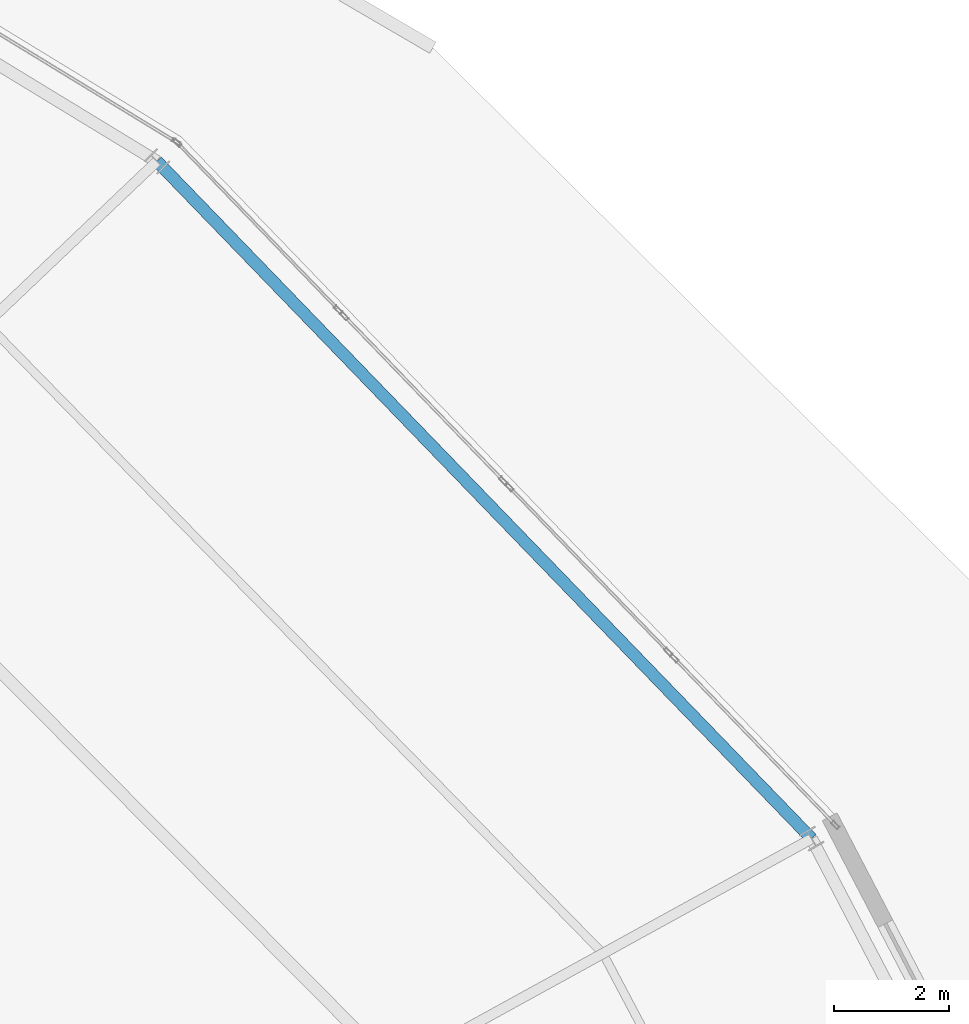
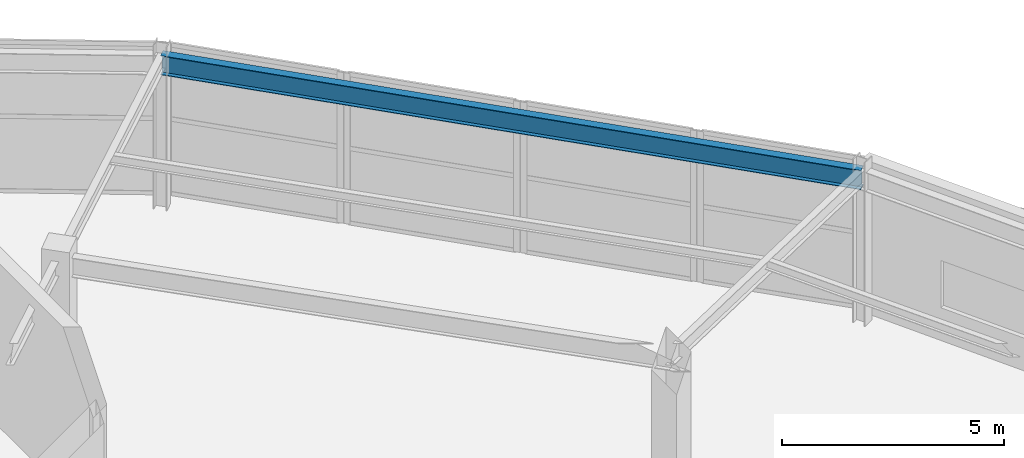
# One storey, part 87 of 126: 1 beam.
"""IFC4 building model written with IfcOpenShell, lengths in metres."""

from ifc_helpers import new_model, si_unit, direction, frame, origin, origin_2d, place, context, subcontext, project, spatial, i_section, extrude, material, material_profile, profile_set, type_object, element, save


model = new_model("IFC4")

# Units and contexts
model_context = context("Model", 3, precision=1e-05, world=origin(), true_north=direction((0.0, 1.0)))
body_context = subcontext(model_context, "Body", "Model", "MODEL_VIEW")
ifc_project = project(units=[si_unit("LENGTHUNIT", "METRE"), si_unit("AREAUNIT", "SQUARE_METRE"), si_unit("VOLUMEUNIT", "CUBIC_METRE"), si_unit("PLANEANGLEUNIT", "RADIAN"), si_unit("MASSUNIT", "GRAM", prefix="KILO")], contexts=[model_context])

# Site, building, storey
site_placement = place(None, origin())
site = spatial("IfcSite", under=ifc_project, at=site_placement, CompositionType="ELEMENT")
building_placement = place(site_placement, origin())
building = spatial("IfcBuilding", under=site, at=building_placement, Name="Kalgoora Escarpment Arena", CompositionType="ELEMENT")
storey_placement = place(building_placement, frame((0.0, 0.0, 18.89990234375)))
storey = spatial("IfcBuildingStorey", under=building, at=storey_placement, Name="L04", CompositionType="ELEMENT", Elevation=18.89990234375)

# Beam
ifc_material = material(Name="Structural steel AS/NZS 3679 (300 MPa)", Category="steel")
ifc_material_profile = material_profile(ifc_material, i_section(OverallWidth=0.208984375, OverallDepth=0.532958984375, WebThickness=0.01025390625, FlangeThickness=0.015625, at=origin_2d()))
ifc_profile_set = profile_set([ifc_material_profile], Name="Structural steel AS/NZS 3679 (300 MPa)")
beam_type = type_object("IfcBeamType", Name="BM-SPANDREL-530UB92.4", PredefinedType="SPANDREL", material=ifc_profile_set)
beam_placement = place(storey_placement, frame((154.58056640625, 92.5, 3.943603515625), z_axis=(-0.694974435465, 0.719034445663, 0.0), x_axis=(-0.719034445663, -0.694974435465, 0.0)))
element("IfcBeam", 1, at=beam_placement, inside=storey, type_object=beam_type, Name="L04 Circumferential concourse girder RCONC2 530UB92.4", PredefinedType="SPANDREL", context=body_context, shape_type="SweptSolid", body=[
    extrude(i_section(OverallWidth=0.208984375, OverallDepth=0.532958984375, WebThickness=0.01025390625, FlangeThickness=0.015625, at=origin_2d()), origin(), (0.0, 0.0, 1.0), 16.418212890625),
])

save(model, "model.ifc")
